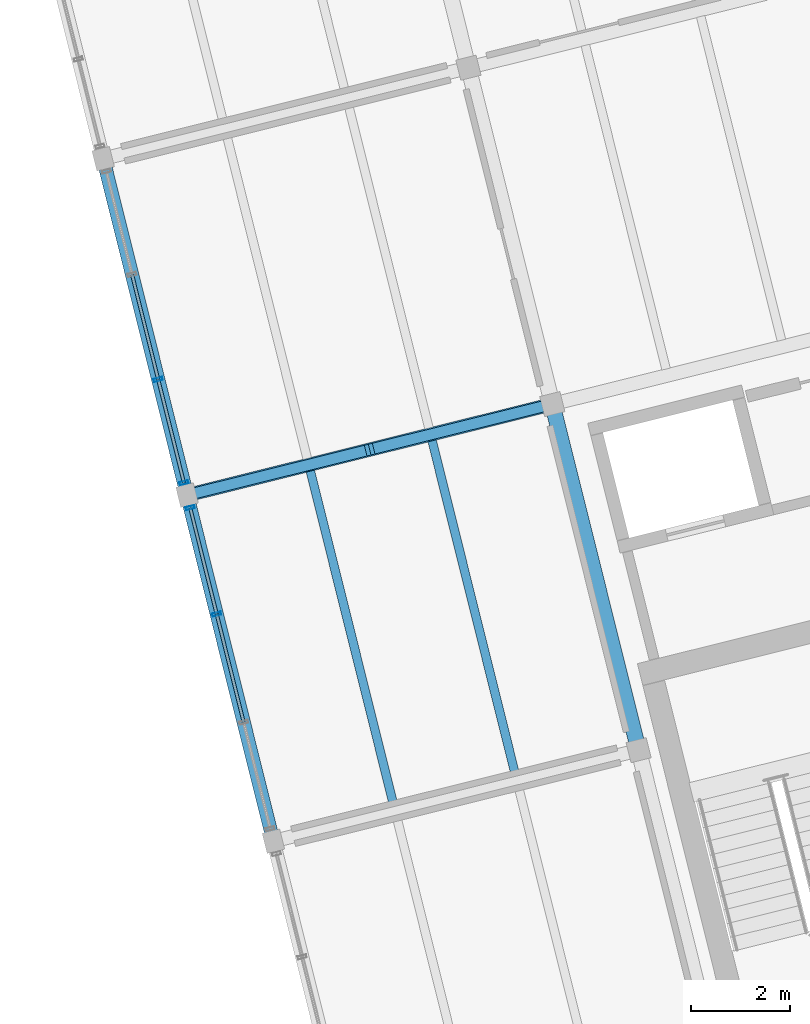
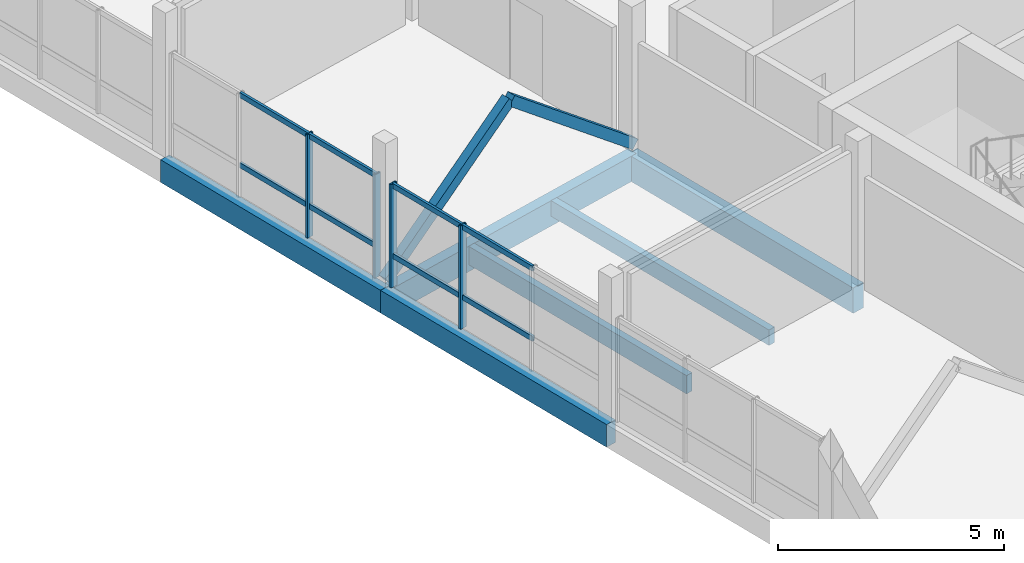
# One storey, part 7 of 27: 14 members, 6 beams, 2 elements without a shape of their own.
"""IFC4 building model written with IfcOpenShell, lengths in metres."""

import ifcopenshell
import ifcopenshell.guid

model = None  # the IFC model being written
_history = None  # IfcOwnerHistory: only IFC2X3 demands one
_inside = {}  # id of a spatial element -> (the spatial element, [elements in it])
_under = {}  # id of a project, library or spatial element -> (it, [spatial elements below it])
_declared = {}  # id of a project -> (the project, [libraries it declares])
_typed = {}  # id of a type object -> (the type object, [elements of that type])
_made_of = {}  # id of a material, layer set ... -> (it, [elements and type objects made of it])


def new_model(schema):
    """Start an empty IFC model of exactly this schema.

    Asked for "IFC4X3", IfcOpenShell would pick the latest addendum, in which some entities
    have other attributes; the version numbers below select the first issue.
    IFC2X3 requires an IfcOwnerHistory on every rooted entity: one is made here for all.
    """
    global model, _history
    if schema == "IFC4X3":
        model = ifcopenshell.file(schema_version=(4, 3, 0, 0))
    else:
        model = ifcopenshell.file(schema=schema)
    _inside.clear()
    _under.clear()
    _declared.clear()
    _typed.clear()
    _made_of.clear()
    _history = None
    if model.schema == "IFC2X3":
        org = make("IfcOrganization", Name="unknown")
        user = make(
            "IfcPersonAndOrganization",
            ThePerson=make("IfcPerson", FamilyName="unknown"),
            TheOrganization=org,
        )
        app = make(
            "IfcApplication",
            ApplicationDeveloper=org,
            Version="unknown",
            ApplicationFullName="unknown",
            ApplicationIdentifier="unknown",
        )
        _history = make(
            "IfcOwnerHistory",
            OwningUser=user,
            OwningApplication=app,
            ChangeAction="ADDED",
            CreationDate=0,
        )
    return model


def make(cls, **values):
    """One entity of the class cls with the attributes given. An attribute that is None is left unset."""
    return model.create_entity(
        cls, **{name: value for name, value in values.items() if value is not None}
    )


def rooted(cls, **values):
    """An entity with a GlobalId (a new one), such as an element, a storey or a relation."""
    return make(cls, GlobalId=ifcopenshell.guid.new(), OwnerHistory=_history, **values)


def si_unit(unit_type, name, prefix=None):
    """IfcSIUnit, for example si_unit("LENGTHUNIT", "METRE", prefix="MILLI")."""
    return make("IfcSIUnit", UnitType=unit_type, Prefix=prefix, Name=name)


def assignment(units):
    """IfcUnitAssignment: the units of a project."""
    return None if units is None else make("IfcUnitAssignment", Units=units)


def point(xyz):
    """IfcCartesianPoint."""
    return None if xyz is None else make("IfcCartesianPoint", Coordinates=xyz)


def direction(xyz):
    """IfcDirection."""
    return None if xyz is None else make("IfcDirection", DirectionRatios=xyz)


def frame(location, z_axis=None, x_axis=None):
    """IfcAxis2Placement3D, a coordinate frame: its origin and axes. An axis left out is left unset."""
    return make(
        "IfcAxis2Placement3D",
        Location=point(location),
        Axis=direction(z_axis),
        RefDirection=direction(x_axis),
    )


def frame_2d(location, x_axis=None):
    """IfcAxis2Placement2D, a coordinate frame in the plane: its origin and x axis."""
    return make(
        "IfcAxis2Placement2D", Location=point(location), RefDirection=direction(x_axis)
    )


def origin():
    """The frame at (0, 0, 0) with its axes left unset."""
    return frame((0.0, 0.0, 0.0))


def origin_2d():
    """The frame at (0, 0) in the plane with its x axis left unset."""
    return frame_2d((0.0, 0.0))


def place(relative_to, where):
    """IfcLocalPlacement: puts the frame where relative to a parent placement (None: the world)."""
    return make(
        "IfcLocalPlacement", PlacementRelTo=relative_to, RelativePlacement=where
    )


def context(
    kind, dimensions, precision=None, world=None, true_north=None, identifier=None
):
    """IfcGeometricRepresentationContext, for example the 3D "Model" context."""
    return make(
        "IfcGeometricRepresentationContext",
        ContextIdentifier=identifier,
        ContextType=kind,
        CoordinateSpaceDimension=dimensions,
        Precision=precision,
        WorldCoordinateSystem=world,
        TrueNorth=true_north,
    )


def subcontext(parent, identifier, kind, view, scale=None):
    """IfcGeometricRepresentationSubContext, for example "Body" below "Model"."""
    return make(
        "IfcGeometricRepresentationSubContext",
        ContextIdentifier=identifier,
        ContextType=kind,
        ParentContext=parent,
        TargetScale=scale,
        TargetView=view,
    )


def project(units=None, contexts=None):
    """IfcProject with its units and contexts."""
    return rooted(
        "IfcProject",
        Name="project",
        RepresentationContexts=contexts,
        UnitsInContext=assignment(units),
    )


def spatial(cls, under=None, at=None, **own):
    """A site, building, storey or space (cls), placed at a placement, below another one or the project."""
    s = rooted(cls, ObjectPlacement=at, **own)
    if under is not None:
        _under.setdefault(under.id(), (under, []))[1].append(s)
    return s


def profile(cls, at=None, kind="AREA", **sizes):
    """A parametric profile (cls). Its sizes go by their IFC names, for example OverallWidth=200.0."""
    return make(cls, ProfileType=kind, Position=at, **sizes)


def rectangle(**sizes):
    """IfcRectangleProfileDef."""
    return profile("IfcRectangleProfileDef", **sizes)


def hollow_rectangle(**sizes):
    """IfcRectangleHollowProfileDef."""
    return profile("IfcRectangleHollowProfileDef", **sizes)


def extrude(swept, where, along, depth):
    """IfcExtrudedAreaSolid: the profile swept, set in the frame where, extruded along a direction by depth."""
    return make(
        "IfcExtrudedAreaSolid",
        SweptArea=swept,
        Position=where,
        ExtrudedDirection=direction(along),
        Depth=depth,
    )


def shape(context_of_items, identifier, shape_type, items):
    """IfcShapeRepresentation: the items that make up one representation, for example the "Body"."""
    return make(
        "IfcShapeRepresentation",
        ContextOfItems=context_of_items,
        RepresentationIdentifier=identifier,
        RepresentationType=shape_type,
        Items=items,
    )


def material(Name=None, Category=None):
    """IfcMaterial."""
    return make("IfcMaterial", Name=Name, Category=Category)


def layer(
    of_material, thickness, ventilated=None, Name=None, Category=None, Priority=None
):
    """IfcMaterialLayer: one layer of a wall or slab, of a material (None: an air gap)."""
    return make(
        "IfcMaterialLayer",
        Material=of_material,
        LayerThickness=thickness,
        IsVentilated=ventilated,
        Name=Name,
        Category=Category,
        Priority=Priority,
    )


def layer_set(layers, Name=None):
    """IfcMaterialLayerSet."""
    return make("IfcMaterialLayerSet", MaterialLayers=layers, LayerSetName=Name)


def material_profile(
    of_material, cross_section, Name=None, Category=None, Priority=None
):
    """IfcMaterialProfile: a cross section and its material."""
    return make(
        "IfcMaterialProfile",
        Name=Name,
        Material=of_material,
        Profile=cross_section,
        Priority=Priority,
        Category=Category,
    )


def profile_set(profiles, Name=None, composite=None):
    """IfcMaterialProfileSet."""
    return make(
        "IfcMaterialProfileSet",
        Name=Name,
        MaterialProfiles=profiles,
        CompositeProfile=composite,
    )


def made_of(thing, what):
    """Note that an element or type object is made of a material, layer set ...; save() writes the relation."""
    if what is not None:
        _made_of.setdefault(what.id(), (what, []))[1].append(thing)
    return thing


def type_object(cls, material=None, **own):
    """A type object (cls), such as IfcWallType, which elements share."""
    return made_of(rooted(cls, **own), material)


def element(
    cls,
    number,
    at=None,
    inside=None,
    cuts=None,
    type_object=None,
    material=None,
    context=None,
    identifier="Body",
    shape_type=None,
    held_by="IfcProductDefinitionShape",
    body=None,
    shapes=None,
    **own,
):
    """One element of the class cls, such as IfcWall. Its Tag is "e" and its number.

    at: its placement. inside: the storey or other place that contains it. cuts: it is an
    opening in that element (IfcRelVoidsElement). A single representation is given by context,
    identifier, shape_type and body (its items); several are given by shapes. held_by: the class
    of the entity that holds the representations. save() writes the other relations.
    """
    e = rooted(cls, Tag="e%d" % number, ObjectPlacement=at, **own)
    if body is not None:
        shapes = [shape(context, identifier, shape_type, body)]
    if shapes is not None:
        e.Representation = make(held_by, Representations=shapes)
    if inside is not None:
        _inside.setdefault(inside.id(), (inside, []))[1].append(e)
    if cuts is not None:
        rooted(
            "IfcRelVoidsElement", RelatingBuildingElement=cuts, RelatedOpeningElement=e
        )
    if type_object is not None:
        _typed.setdefault(type_object.id(), (type_object, []))[1].append(e)
    return made_of(e, material)


def aggregate(whole, parts):
    """IfcRelAggregates: a whole, such as a stair, and the parts it consists of."""
    return rooted("IfcRelAggregates", RelatingObject=whole, RelatedObjects=parts)


def save(model, path):
    """Write the relations noted so far, then the file.

    IfcRelAggregates (storeys below a building ...), IfcRelContainedInSpatialStructure (elements
    in a storey), IfcRelDefinesByType, IfcRelAssociatesMaterial and IfcRelDeclares: one each for
    every whole, place, type object, material and project.
    """
    for whole, parts in _under.values():
        aggregate(whole, parts)
    for where, things in _inside.values():
        rooted(
            "IfcRelContainedInSpatialStructure",
            RelatedElements=things,
            RelatingStructure=where,
        )
    for kind, things in _typed.values():
        rooted("IfcRelDefinesByType", RelatedObjects=things, RelatingType=kind)
    for what, things in _made_of.values():
        rooted("IfcRelAssociatesMaterial", RelatedObjects=things, RelatingMaterial=what)
    for by, libraries in _declared.values():
        rooted("IfcRelDeclares", RelatingContext=by, RelatedDefinitions=libraries)
    model.write(path)


model = new_model("IFC4")

# Units and contexts
model_context = context("Model", 3, precision=1e-05, world=origin(), true_north=direction((0.0, 1.0)))
body_context = subcontext(model_context, "Body", "Model", "MODEL_VIEW")
ifc_project = project(units=[si_unit("LENGTHUNIT", "METRE"), si_unit("AREAUNIT", "SQUARE_METRE"), si_unit("VOLUMEUNIT", "CUBIC_METRE"), si_unit("PLANEANGLEUNIT", "RADIAN"), si_unit("MASSUNIT", "GRAM", prefix="KILO")], contexts=[model_context])

# Site, building, storey
site_placement = place(None, origin())
site = spatial("IfcSite", under=ifc_project, at=site_placement, CompositionType="ELEMENT")
building_placement = place(site_placement, origin())
building = spatial("IfcBuilding", under=site, at=building_placement, Name="Meriwether Solvik Hall", CompositionType="ELEMENT")
storey_placement = place(building_placement, frame((0.0, 0.0, 33.89990234375)))
storey = spatial("IfcBuildingStorey", under=building, at=storey_placement, Name="L08", CompositionType="ELEMENT", Elevation=33.89990234375)

# Beams
ifc_material_1 = material(Name="Glulam Douglas-Fir 24F-V8 GL28h", Category="wood")
ifc_material_profile_1 = material_profile(ifc_material_1, rectangle(XDim=0.27294921875, YDim=0.610107421875, at=origin_2d()), Name="GLB-273X610")
ifc_profile_set_1 = profile_set([ifc_material_profile_1], Name="Glulam Douglas-Fir 24F-V8 GL28h")
beam_type_1 = type_object("IfcBeamType", Name="BM-GL-273X610", PredefinedType="SPANDREL", material=ifc_profile_set_1)
beam_1_placement = place(storey_placement, frame((65.261474609375, 54.590087890625, -0.48486328125), z_axis=(-0.241937193493, 0.970291911955, 0.0), x_axis=(-0.970291911955, -0.241937193493, 0.0)))
element("IfcBeam", 1, at=beam_1_placement, inside=storey, type_object=beam_type_1, Name="Tower Girder T1:TC-TD (L08)", PredefinedType="SPANDREL", context=body_context, shape_type="SweptSolid", body=[
    extrude(rectangle(XDim=0.27294921875, YDim=0.610107421875, at=origin_2d()), origin(), (0.0, 0.0, 1.0), 7.199951171875),
])
beam_2_placement = place(storey_placement, frame((63.51953125, 61.576171875, -0.48486328125), z_axis=(-0.241911879182, 0.970298223594, 0.0), x_axis=(-0.970298223594, -0.241911879182, 0.0)))
element("IfcBeam", 2, at=beam_2_placement, inside=storey, type_object=beam_type_1, Name="Tower Girder T1:TD-TE (L08)", PredefinedType="SPANDREL", context=body_context, shape_type="SweptSolid", body=[
    extrude(rectangle(XDim=0.27294921875, YDim=0.610107421875, at=origin_2d()), origin(), (0.0, 0.0, 1.0), 7.0),
])
ifc_material_2 = material(Name="Glulam Douglas-Fir 24F-V8 GL28h", Category="wood")
ifc_material_profile_2 = material_profile(ifc_material_2, rectangle(XDim=0.27294921875, YDim=0.68505859375, at=origin_2d()), Name="GLB-273X685")
ifc_profile_set_2 = profile_set([ifc_material_profile_2], Name="Glulam Douglas-Fir 24F-V8 GL28h")
beam_type_2 = type_object("IfcBeamType", Name="BM-GL-273X685", PredefinedType="BEAM", material=ifc_profile_set_2)
beam_3_placement = place(storey_placement, frame((63.51953125, 61.576171875, -0.5224609375), z_axis=(0.970295366785, 0.241923337436, 0.0), x_axis=(-0.241923337436, 0.970295366785, 0.0)))
element("IfcBeam", 3, at=beam_3_placement, inside=storey, type_object=beam_type_2, Name="Tower Girder TD:T1-T2 (L08)", PredefinedType="BEAM", context=body_context, shape_type="SweptSolid", body=[
    extrude(rectangle(XDim=0.27294921875, YDim=0.68505859375, at=origin_2d()), origin(), (0.0, 0.0, 1.0), 7.60009765625),
])
ifc_material_3 = material(Name="Glulam Douglas-Fir 24F-V8 GL28h", Category="wood")
ifc_material_profile_3 = material_profile(ifc_material_3, rectangle(XDim=0.31494140625, YDim=0.68505859375, at=origin_2d()), Name="GLB-315X685")
ifc_profile_set_3 = profile_set([ifc_material_profile_3], Name="Glulam Douglas-Fir 24F-V8 GL28h")
beam_type_3 = type_object("IfcBeamType", Name="BM-GL-315X685", PredefinedType="BEAM", material=ifc_profile_set_3)
beam_4_placement = place(storey_placement, frame((72.6357421875, 56.4287109375, -0.5224609375), z_axis=(-0.241937193493, 0.970291911955, 0.0), x_axis=(-0.970291911955, -0.241937193493, 0.0)))
element("IfcBeam", 4, at=beam_4_placement, inside=storey, type_object=beam_type_3, Name="Tower Girder T2:TC-TD (L08)", PredefinedType="BEAM", context=body_context, shape_type="SweptSolid", body=[
    extrude(rectangle(XDim=0.31494140625, YDim=0.68505859375, at=origin_2d()), origin(), (0.0, 0.0, 1.0), 7.199951171875),
])

# Curtain wall, members
ifc_material_4 = material(Name="Thermally Broken Anodised Aluminium 6063-T6 and Low-E Glass", Category="aluminium")
ifc_layer_1 = layer(ifc_material_4, 0.179931640625)
ifc_layer_set_1 = layer_set([ifc_layer_1], Name="Thermally Broken Anodised Aluminium 6063-T6 and Low-E Glass")
curtain_wall_type_1 = type_object("IfcCurtainWallType", Name="CW-UNIT-A", PredefinedType="USERDEFINED", material=ifc_layer_set_1)
curtain_wall_1_placement = place(storey_placement, origin())
curtain_wall_1 = element("IfcCurtainWall", 5, at=curtain_wall_1_placement, inside=storey, type_object=curtain_wall_type_1, Name="Curtain Wall E7_B2 (L08)", ObjectType="UNITISED CURTAIN WALL", PredefinedType="USERDEFINED")
ifc_material_5 = material(Name="Anodised Aluminium 6063-T6", Category="aluminium")
ifc_material_profile_4 = material_profile(ifc_material_5, hollow_rectangle(XDim=0.06494140625, YDim=0.179931640625, WallThickness=0.00439453125, at=origin_2d()), Name="CWM-65X180")
ifc_profile_set_4 = profile_set([ifc_material_profile_4], Name="Anodised Aluminium 6063-T6")
member_type_1 = type_object("IfcMemberType", Name="CW-MUL-65X180", PredefinedType="MULLION", material=ifc_profile_set_4)
member_1_placement = place(storey_placement, frame((64.1181640625, 59.17578125, 0.0), z_axis=(0.0, 0.0, 1.0), x_axis=(-0.241921847539, 0.970295738259, 0.0)))
member_1 = element("IfcMember", 6, at=member_1_placement, type_object=member_type_1, Name="Curtain Wall Mullion 3", PredefinedType="MULLION", context=body_context, shape_type="SweptSolid", body=[
    extrude(hollow_rectangle(XDim=0.06494140625, YDim=0.179931640625, WallThickness=0.00439453125, at=origin_2d()), origin(), (0.0, 0.0, 1.0), 2.7900390625),
])
member_2_placement = place(storey_placement, frame((63.58251953125, 61.323974609375, 0.0), z_axis=(0.0, 0.0, 1.0), x_axis=(-0.241921847539, 0.970295738259, 0.0)))
member_2 = element("IfcMember", 7, at=member_2_placement, type_object=member_type_1, Name="Curtain Wall Mullion 4", PredefinedType="MULLION", context=body_context, shape_type="SweptSolid", body=[
    extrude(hollow_rectangle(XDim=0.06494140625, YDim=0.179931640625, WallThickness=0.00439453125, at=origin_2d()), origin(), (0.0, 0.0, 1.0), 2.7900390625),
])

ifc_material_6 = material(Name="Thermally Broken Anodised Aluminium 6063-T6 and Low-E Glass", Category="aluminium")
ifc_layer_2 = layer(ifc_material_6, 0.179931640625)
ifc_layer_set_2 = layer_set([ifc_layer_2], Name="Thermally Broken Anodised Aluminium 6063-T6 and Low-E Glass")
curtain_wall_type_2 = type_object("IfcCurtainWallType", Name="CW-UNIT-B", PredefinedType="USERDEFINED", material=ifc_layer_set_2)
curtain_wall_2_placement = place(storey_placement, origin())
curtain_wall_2 = element("IfcCurtainWall", 8, at=curtain_wall_2_placement, inside=storey, type_object=curtain_wall_type_2, Name="Curtain Wall E7_B3 (L08)", ObjectType="UNITISED CURTAIN WALL", PredefinedType="USERDEFINED")
member_3_placement = place(storey_placement, frame((63.456787109375, 61.828369140625, 0.0), z_axis=(0.0, 0.0, 1.0), x_axis=(-0.241921895312, 0.970295726348, 0.0)))
member_3 = element("IfcMember", 9, at=member_3_placement, type_object=member_type_1, Name="Curtain Wall Mullion 1", PredefinedType="MULLION", context=body_context, shape_type="SweptSolid", body=[
    extrude(hollow_rectangle(XDim=0.06494140625, YDim=0.179931640625, WallThickness=0.00439453125, at=origin_2d()), origin(), (0.0, 0.0, 1.0), 2.7900390625),
])
member_4_placement = place(storey_placement, frame((62.937255859375, 63.912109375, 0.0), z_axis=(0.0, 0.0, 1.0), x_axis=(-0.241921895312, 0.970295726348, 0.0)))
member_4 = element("IfcMember", 10, at=member_4_placement, type_object=member_type_1, Name="Curtain Wall Mullion 2", PredefinedType="MULLION", context=body_context, shape_type="SweptSolid", body=[
    extrude(hollow_rectangle(XDim=0.06494140625, YDim=0.179931640625, WallThickness=0.00439453125, at=origin_2d()), origin(), (0.0, 0.0, 1.0), 2.7900390625),
])

# Member
ifc_material_7 = material(Name="Anodised Aluminium 6063-T6", Category="aluminium")
ifc_material_profile_5 = material_profile(ifc_material_7, hollow_rectangle(XDim=0.06494140625, YDim=0.139892578125, WallThickness=0.00439453125, at=origin_2d()), Name="CWT-65X140")
ifc_profile_set_5 = profile_set([ifc_material_profile_5], Name="Anodised Aluminium 6063-T6")
member_type_2 = type_object("IfcMemberType", Name="CW-TRN-65X140", PredefinedType="USERDEFINED", material=ifc_profile_set_5)
member_5_placement = place(storey_placement, frame((64.662841796875, 56.990478515625, 0.837158203125), z_axis=(-0.241846886633, 0.970314425033, 0.0), x_axis=(-0.970314425033, -0.241846886633, 0.0)))
member_5 = element("IfcMember", 11, at=member_5_placement, type_object=member_type_2, Name="Curtain Wall Transom 2-sill", ObjectType="TRANSOM", PredefinedType="USERDEFINED", context=body_context, shape_type="SweptSolid", body=[
    extrude(hollow_rectangle(XDim=0.06494140625, YDim=0.139892578125, WallThickness=0.00439453125, at=origin_2d()), origin(), (0.0, 0.0, 1.0), 2.252197265625),
])

member_6_placement = place(storey_placement, frame((64.662841796875, 56.990478515625, 2.72998046875), z_axis=(-0.241846886633, 0.970314425033, 0.0), x_axis=(-0.970314425033, -0.241846886633, 0.0)))
member_6 = element("IfcMember", 12, at=member_6_placement, type_object=member_type_2, Name="Curtain Wall Transom 2-head", ObjectType="TRANSOM", PredefinedType="USERDEFINED", context=body_context, shape_type="SweptSolid", body=[
    extrude(hollow_rectangle(XDim=0.06494140625, YDim=0.139892578125, WallThickness=0.00439453125, at=origin_2d()), origin(), (0.0, 0.0, 1.0), 2.252197265625),
])

member_7_placement = place(storey_placement, frame((64.1181640625, 59.17578125, 0.837158203125), z_axis=(-0.241938808, 0.970291509385, 0.0), x_axis=(-0.970291509385, -0.241938808, 0.0)))
member_7 = element("IfcMember", 13, at=member_7_placement, type_object=member_type_2, Name="Curtain Wall Transom 3-sill", ObjectType="TRANSOM", PredefinedType="USERDEFINED", context=body_context, shape_type="SweptSolid", body=[
    extrude(hollow_rectangle(XDim=0.06494140625, YDim=0.139892578125, WallThickness=0.00439453125, at=origin_2d()), origin(), (0.0, 0.0, 1.0), 2.2138671875),
])

member_8_placement = place(storey_placement, frame((64.1181640625, 59.17578125, 2.72998046875), z_axis=(-0.241938808, 0.970291509385, 0.0), x_axis=(-0.970291509385, -0.241938808, 0.0)))
member_8 = element("IfcMember", 14, at=member_8_placement, type_object=member_type_2, Name="Curtain Wall Transom 3-head", ObjectType="TRANSOM", PredefinedType="USERDEFINED", context=body_context, shape_type="SweptSolid", body=[
    extrude(hollow_rectangle(XDim=0.06494140625, YDim=0.139892578125, WallThickness=0.00439453125, at=origin_2d()), origin(), (0.0, 0.0, 1.0), 2.2138671875),
])

aggregate(curtain_wall_1, [member_1, member_2, member_5, member_6, member_7, member_8])

member_9_placement = place(storey_placement, frame((63.456787109375, 61.828369140625, 0.837158203125), z_axis=(-0.241920343195, 0.970296113333, 0.0), x_axis=(-0.970296113333, -0.241920343195, 0.0)))
member_9 = element("IfcMember", 15, at=member_9_placement, type_object=member_type_2, Name="Curtain Wall Transom 1-sill", ObjectType="TRANSOM", PredefinedType="USERDEFINED", context=body_context, shape_type="SweptSolid", body=[
    extrude(hollow_rectangle(XDim=0.06494140625, YDim=0.139892578125, WallThickness=0.00439453125, at=origin_2d()), origin(), (0.0, 0.0, 1.0), 2.1474609375),
])

member_10_placement = place(storey_placement, frame((63.456787109375, 61.828369140625, 2.72998046875), z_axis=(-0.241920343195, 0.970296113333, 0.0), x_axis=(-0.970296113333, -0.241920343195, 0.0)))
member_10 = element("IfcMember", 16, at=member_10_placement, type_object=member_type_2, Name="Curtain Wall Transom 1-head", ObjectType="TRANSOM", PredefinedType="USERDEFINED", context=body_context, shape_type="SweptSolid", body=[
    extrude(hollow_rectangle(XDim=0.06494140625, YDim=0.139892578125, WallThickness=0.00439453125, at=origin_2d()), origin(), (0.0, 0.0, 1.0), 2.1474609375),
])

member_11_placement = place(storey_placement, frame((62.937255859375, 63.912109375, 0.837158203125), z_axis=(-0.241878380472, 0.97030657478, 0.0), x_axis=(-0.97030657478, -0.241878380472, 0.0)))
member_11 = element("IfcMember", 17, at=member_11_placement, type_object=member_type_2, Name="Curtain Wall Transom 2-sill", ObjectType="TRANSOM", PredefinedType="USERDEFINED", context=body_context, shape_type="SweptSolid", body=[
    extrude(hollow_rectangle(XDim=0.06494140625, YDim=0.139892578125, WallThickness=0.00439453125, at=origin_2d()), origin(), (0.0, 0.0, 1.0), 2.185302734375),
])

member_12_placement = place(storey_placement, frame((62.937255859375, 63.912109375, 2.72998046875), z_axis=(-0.241878380472, 0.97030657478, 0.0), x_axis=(-0.97030657478, -0.241878380472, 0.0)))
member_12 = element("IfcMember", 18, at=member_12_placement, type_object=member_type_2, Name="Curtain Wall Transom 2-head", ObjectType="TRANSOM", PredefinedType="USERDEFINED", context=body_context, shape_type="SweptSolid", body=[
    extrude(hollow_rectangle(XDim=0.06494140625, YDim=0.139892578125, WallThickness=0.00439453125, at=origin_2d()), origin(), (0.0, 0.0, 1.0), 2.185302734375),
])

aggregate(curtain_wall_2, [member_3, member_4, member_9, member_10, member_11, member_12])

# Beams
ifc_material_8 = material(Name="Glulam Douglas-Fir 24F-V8 GL28h", Category="wood")
ifc_material_profile_6 = material_profile(ifc_material_8, rectangle(XDim=0.175048828125, YDim=0.419921875, at=origin_2d()), Name="GLJ-175X420")
ifc_profile_set_6 = profile_set([ifc_material_profile_6], Name="Glulam Douglas-Fir 24F-V8 GL28h")
beam_type_4 = type_object("IfcBeamType", Name="JST-GL-175X420", PredefinedType="JOIST", material=ifc_profile_set_6)
beam_5_placement = place(storey_placement, frame((70.145751953125, 55.943359375, -0.389892578125), z_axis=(-0.241922788949, 0.970295503539, 0.0), x_axis=(-0.970295503539, -0.241922788949, 0.0)))
element("IfcBeam", 19, at=beam_5_placement, inside=storey, type_object=beam_type_4, Name="Glulam Floor Joist T1/TC-J2 (L08)", PredefinedType="JOIST", context=body_context, shape_type="SweptSolid", body=[
    extrude(rectangle(XDim=0.175048828125, YDim=0.419921875, at=origin_2d()), origin(), (0.0, 0.0, 1.0), 6.93701171875),
])
ifc_material_9 = material(Name="Glulam Douglas-Fir 24F-V8 GL28h", Category="wood")
ifc_material_profile_7 = material_profile(ifc_material_9, rectangle(XDim=0.175048828125, YDim=0.4951171875, at=origin_2d()), Name="GLJ-175X495")
ifc_profile_set_7 = profile_set([ifc_material_profile_7], Name="Glulam Douglas-Fir 24F-V8 GL28h")
beam_type_5 = type_object("IfcBeamType", Name="JST-GL-175X495", PredefinedType="JOIST", material=ifc_profile_set_7)
beam_6_placement = place(storey_placement, frame((67.687744140625, 55.33056640625, -0.427490234375), z_axis=(-0.241922788949, 0.970295503539, 0.0), x_axis=(-0.970295503539, -0.241922788949, 0.0)))
element("IfcBeam", 20, at=beam_6_placement, inside=storey, type_object=beam_type_5, Name="Glulam Floor Joist T1/TC-J1 (L08)", PredefinedType="JOIST", context=body_context, shape_type="SweptSolid", body=[
    extrude(rectangle(XDim=0.175048828125, YDim=0.4951171875, at=origin_2d()), origin(), (0.0, 0.0, 1.0), 6.93701171875),
])

# Members
ifc_material_10 = material(Name="Glulam Douglas-Fir 24F-V8 GL28h", Category="wood")
ifc_material_profile_8 = material_profile(ifc_material_10, rectangle(XDim=0.221923828125, YDim=0.26708984375, at=origin_2d()), Name="GLM-222X267")
ifc_profile_set_8 = profile_set([ifc_material_profile_8], Name="Glulam Douglas-Fir 24F-V8 GL28h")
member_type_3 = type_object("IfcMemberType", Name="MEM-BR-GL222", PredefinedType="BRACE", material=ifc_profile_set_8)
member_13_placement = place(storey_placement, frame((63.51953125, 61.576171875, 0.050048828125), z_axis=(0.759126618737, 0.18929158751, 0.622812549346), x_axis=(-0.241946039438, 0.970289706222, 0.0)))
element("IfcMember", 21, at=member_13_placement, inside=storey, type_object=member_type_3, Name="Tower Chevron Brace L08-B2A", PredefinedType="BRACE", context=body_context, shape_type="SweptSolid", body=[
    extrude(rectangle(XDim=0.221923828125, YDim=0.26708984375, at=origin_2d()), origin(), (0.0, 0.0, 1.0), 4.857177734375),
])
member_14_placement = place(storey_placement, frame((70.893798828125, 63.414794921875, 0.050048828125), z_axis=(-0.759112541754, -0.18925034563, 0.622842239761), x_axis=(0.241900633533, -0.970301027257, 0.0)))
element("IfcMember", 22, at=member_14_placement, inside=storey, type_object=member_type_3, Name="Tower Chevron Brace L08-B2B", PredefinedType="BRACE", context=body_context, shape_type="SweptSolid", body=[
    extrude(rectangle(XDim=0.221923828125, YDim=0.26708984375, at=origin_2d()), origin(), (0.0, 0.0, 1.0), 4.85693359375),
])

save(model, "model.ifc")
